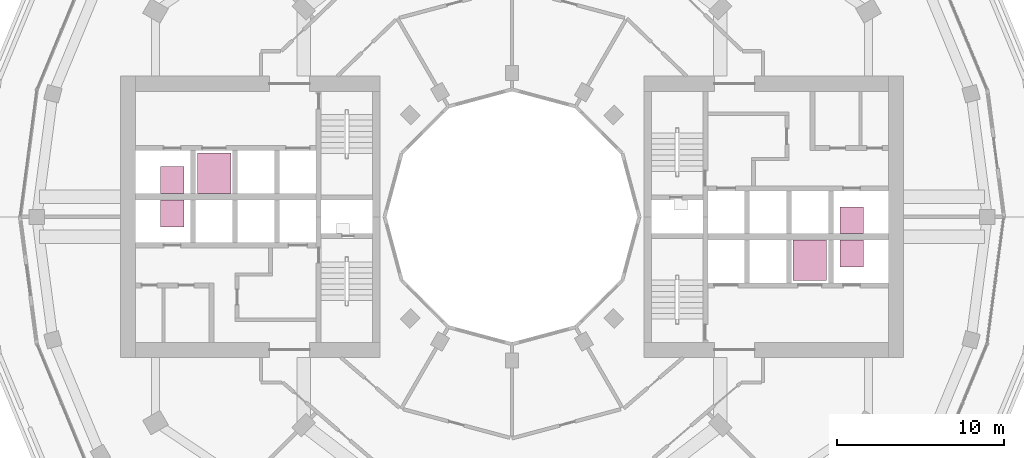
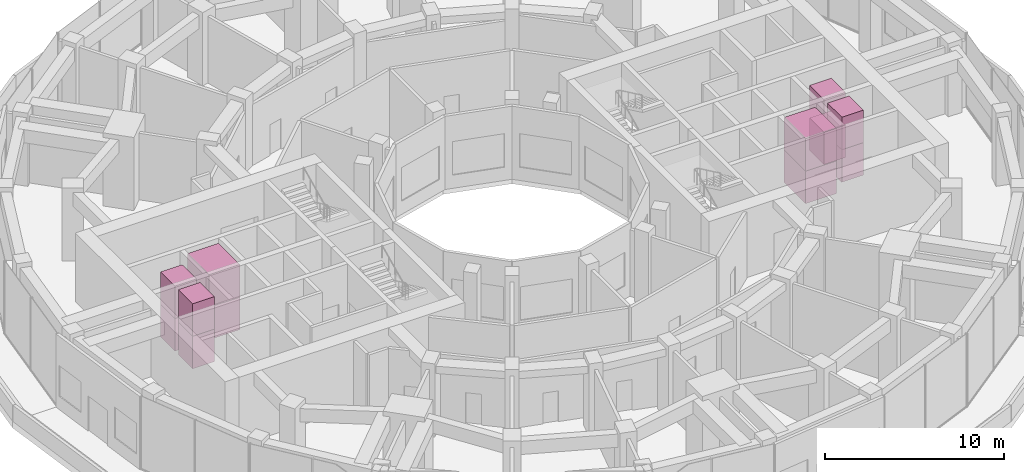
# One storey, part 19 of 19: 12 transport elements.
"""IFC4 building model written with IfcOpenShell, lengths in metres."""

from ifc_helpers import new_model, si_unit, direction, frame, origin, origin_2d, place, context, subcontext, project, spatial, rectangle, extrude, material, type_object, element, save


model = new_model("IFC4")

# Units and contexts
model_context = context("Model", 3, precision=1e-05, world=origin(), true_north=direction((0.0, 1.0)))
body_context = subcontext(model_context, "Body", "Model", "MODEL_VIEW")
ifc_project = project(units=[si_unit("LENGTHUNIT", "METRE"), si_unit("AREAUNIT", "SQUARE_METRE"), si_unit("VOLUMEUNIT", "CUBIC_METRE"), si_unit("PLANEANGLEUNIT", "RADIAN"), si_unit("MASSUNIT", "GRAM", prefix="KILO")], contexts=[model_context])

# Site, building, storey
site_placement = place(None, origin())
site = spatial("IfcSite", under=ifc_project, at=site_placement, CompositionType="ELEMENT")
building_placement = place(site_placement, origin())
building = spatial("IfcBuilding", under=site, at=building_placement, Name="Torre Brocal", CompositionType="ELEMENT")
storey_placement = place(building_placement, frame((0.0, 0.0, 23.800048828125)))
storey = spatial("IfcBuildingStorey", under=building, at=storey_placement, Name="L04", CompositionType="ELEMENT", Elevation=23.800048828125)

# Transport elements
ifc_material_1 = material(Name="Stainless steel AISI 316", Category="steel")
transport_element_type_1 = type_object("IfcTransportElementType", Name="PASSENGER LIFT 2000", PredefinedType="ELEVATOR", material=ifc_material_1)
for number, where, z_axis, x_axis, name in (
    (1, (97.800048828125, 72.39990234375, 0.0), (0.0, 0.0, 1.0), (1.0, 0.0, 0.0), "LOW RISE LIFT E-LR2"),
    (2, (97.800048828125, 72.39990234375, 2.224853515625), (0.0, 0.0, 1.0), (1.0, 0.0, 0.0), "LOW RISE LIFT E-LR2"),
    (3, (62.199951171875, 77.60009765625, 0.0), (0.0, 0.0, 1.0), (1.0, 0.0, 0.0), "LOW RISE LIFT W-LR2"),
    (4, (62.199951171875, 77.60009765625, 2.224853515625), (0.0, 0.0, 1.0), (1.0, 0.0, 0.0), "LOW RISE LIFT W-LR2"),
):
    element("IfcTransportElement", number, at=place(storey_placement, frame(where, z_axis=z_axis, x_axis=x_axis)), inside=storey, type_object=transport_element_type_1, Name=name, PredefinedType="ELEVATOR", context=body_context, shape_type="SweptSolid", body=[
        extrude(rectangle(XDim=2.0, YDim=2.39990234375, at=origin_2d()), origin(), (0.0, 0.0, 1.0), 2.22509765625),
    ])
ifc_material_2 = material(Name="Stainless steel AISI 316", Category="steel")
transport_element_type_2 = type_object("IfcTransportElementType", Name="PASSENGER LIFT 900", PredefinedType="ELEVATOR", material=ifc_material_2)
for number, where, z_axis, x_axis, name in (
    (5, (100.300048828125, 74.800048828125, 0.0), (0.0, 0.0, 1.0), (1.0, 0.0, 0.0), "LOW RISE LIFT E-LR1"),
    (6, (100.300048828125, 74.800048828125, 2.224853515625), (0.0, 0.0, 1.0), (1.0, 0.0, 0.0), "LOW RISE LIFT E-LR1"),
    (7, (100.300048828125, 72.800048828125, 0.0), (0.0, 0.0, 1.0), (1.0, 0.0, 0.0), "LOW RISE LIFT E-LR3"),
    (8, (100.300048828125, 72.800048828125, 2.224853515625), (0.0, 0.0, 1.0), (1.0, 0.0, 0.0), "LOW RISE LIFT E-LR3"),
    (9, (59.699951171875, 75.199951171875, 0.0), (0.0, 0.0, 1.0), (1.0, 0.0, 0.0), "LOW RISE LIFT W-LR1"),
    (10, (59.699951171875, 75.199951171875, 2.224853515625), (0.0, 0.0, 1.0), (1.0, 0.0, 0.0), "LOW RISE LIFT W-LR1"),
    (11, (59.699951171875, 77.199951171875, 0.0), (0.0, 0.0, 1.0), (1.0, 0.0, 0.0), "LOW RISE LIFT W-LR3"),
    (12, (59.699951171875, 77.199951171875, 2.224853515625), (0.0, 0.0, 1.0), (1.0, 0.0, 0.0), "LOW RISE LIFT W-LR3"),
):
    element("IfcTransportElement", number, at=place(storey_placement, frame(where, z_axis=z_axis, x_axis=x_axis)), inside=storey, type_object=transport_element_type_2, Name=name, PredefinedType="ELEVATOR", context=body_context, shape_type="SweptSolid", body=[
        extrude(rectangle(XDim=1.39990234375, YDim=1.60009765625, at=origin_2d()), origin(), (0.0, 0.0, 1.0), 2.22509765625),
    ])

save(model, "model.ifc")
